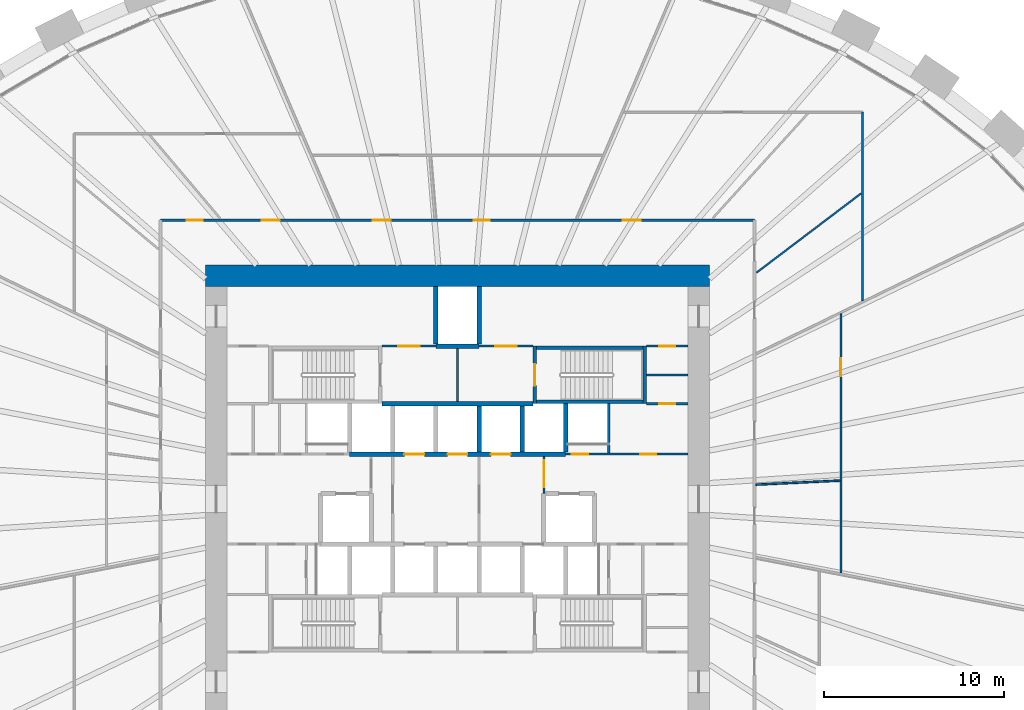
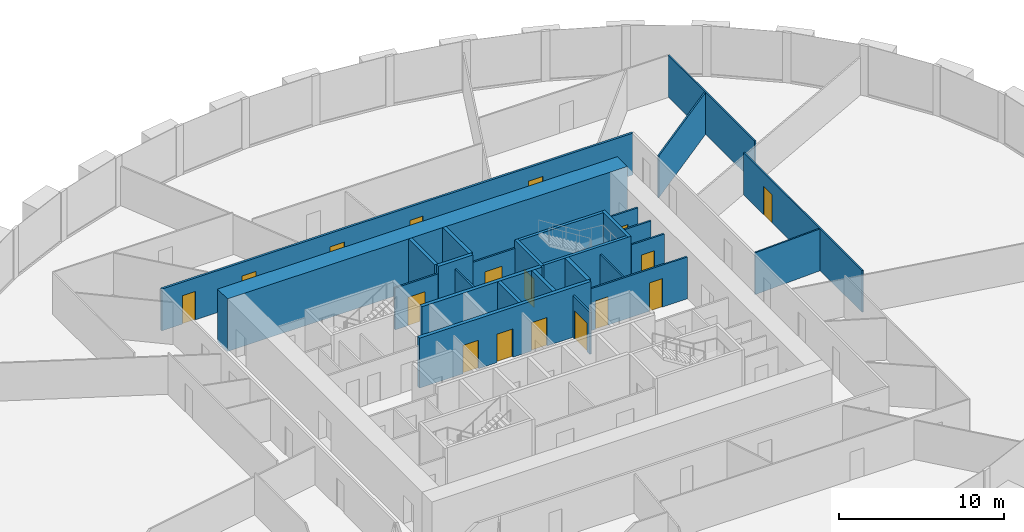
# One storey, part 9 of 11: 27 walls, 17 doors, 17 openings.
"""IFC4 building model written with IfcOpenShell, lengths in metres."""

from ifc_helpers import new_model, si_unit, direction, frame, frame_2d, origin, place, context, subcontext, project, spatial, rectangle, extrude, source, transform, mapped, material, layer, layer_set, type_object, element, fill, save


model = new_model("IFC4")

# Units and contexts
model_context = context("Model", 3, precision=1e-05, world=origin(), true_north=direction((0.0, 1.0)))
body_context = subcontext(model_context, "Body", "Model", "MODEL_VIEW")
ifc_project = project(units=[si_unit("LENGTHUNIT", "METRE"), si_unit("AREAUNIT", "SQUARE_METRE"), si_unit("VOLUMEUNIT", "CUBIC_METRE"), si_unit("PLANEANGLEUNIT", "RADIAN"), si_unit("MASSUNIT", "GRAM", prefix="KILO")], contexts=[model_context])

# Site, building, storey
site_placement = place(None, origin())
site = spatial("IfcSite", under=ifc_project, at=site_placement, CompositionType="ELEMENT")
building_placement = place(site_placement, origin())
building = spatial("IfcBuilding", under=site, at=building_placement, Name="Embergate Tower", CompositionType="ELEMENT")
storey_placement = place(building_placement, frame((0.0, 0.0, 113.300048828125)))
storey = spatial("IfcBuildingStorey", under=building, at=storey_placement, Name="L24", CompositionType="ELEMENT", Elevation=113.300048828125)

# Walls
ifc_material_1 = material(Name="Concrete C80", Category="concrete")
ifc_layer_1 = layer(ifc_material_1, 1.199951171875)
ifc_layer_set_1 = layer_set([ifc_layer_1], Name="Concrete C80")
wall_type_1 = type_object("IfcWallType", Name="Core outer wall C80 1200", PredefinedType="SHEAR", material=ifc_layer_set_1)
shared_shape_1 = source(origin(), body_context, "Body", "SweptSolid", [
    extrude(rectangle(XDim=28.0, YDim=1.199951171875, at=frame_2d((14.0, 0.0))), origin(), (0.0, 0.0, 1.0), 3.89990234375),
])
wall_1_placement = place(storey_placement, frame((-14.0, 12.39990234375, -0.199951171875), z_axis=(0.0, 0.0, 1.0), x_axis=(1.0, 0.0, 0.0)))
element("IfcWall", 1, at=wall_1_placement, inside=storey, type_object=wall_type_1, Name="CW-L24-N", PredefinedType="SHEAR", context=body_context, shape_type="MappedRepresentation", body=[
    mapped(shared_shape_1, transform((0.0, 0.0, 0.0))),
])
ifc_material_2 = material(Name="Concrete C50", Category="concrete")
ifc_layer_2 = layer(ifc_material_2, 0.25)
ifc_layer_set_2 = layer_set([ifc_layer_2], Name="Concrete C50")
wall_type_2 = type_object("IfcWallType", Name="Hoistway wall reinforced concrete 250", PredefinedType="SHEAR", material=ifc_layer_set_2)
shared_shape_2 = source(origin(), body_context, "Body", "SweptSolid", [
    extrude(rectangle(XDim=2.675048828125, YDim=0.25, at=frame_2d((1.33740234375, 0.0))), origin(), (0.0, 0.0, 1.0), 3.699951171875),
])
wall_2_placement = place(storey_placement, frame((6.0, 2.625, 0.0), z_axis=(0.0, 0.0, 1.0), x_axis=(0.0, 1.0, 0.0)))
element("IfcWall", 2, at=wall_2_placement, inside=storey, type_object=wall_type_2, Name="HW-1 wall", PredefinedType="SHEAR", context=body_context, shape_type="MappedRepresentation", body=[
    mapped(shared_shape_2, transform((0.0, 0.0, 0.0))),
])
ifc_layer_3 = layer(ifc_material_2, 0.199951171875)
ifc_layer_set_3 = layer_set([ifc_layer_3], Name="Concrete C50")
wall_type_3 = type_object("IfcWallType", Name="Stair enclosure wall reinforced concrete 250", PredefinedType="SHEAR", material=ifc_layer_set_3)
shared_shape_3 = source(origin(), body_context, "Body", "SweptSolid", [
    extrude(rectangle(XDim=6.300048828125, YDim=0.199951171875, at=frame_2d((3.14990234375, 0.0))), origin(), (0.0, 0.0, 1.0), 3.699951171875),
])
for number, where, z_axis, x_axis, name in (
    (3, (10.5, 5.39990234375, 0.0), (0.0, 0.0, 1.0), (-1.0, 0.0, 0.0), "SE-1 wall"),
    (4, (10.5, 8.39990234375, 0.0), (0.0, 0.0, 1.0), (-1.0, 0.0, 0.0), "SE-1 wall"),
):
    element("IfcWall", number, at=place(storey_placement, frame(where, z_axis=z_axis, x_axis=x_axis)), inside=storey, type_object=wall_type_3, Name=name, PredefinedType="SHEAR", context=body_context, shape_type="MappedRepresentation", body=[
        mapped(shared_shape_3, transform((0.0, 0.0, 0.0))),
    ])
shared_shape_4 = source(origin(), body_context, "Body", "SweptSolid", [
    extrude(rectangle(XDim=2.550048828125, YDim=0.25, at=frame_2d((1.27490234375, 0.0))), origin(), (0.0, 0.0, 1.0), 3.699951171875),
])
for number, where, z_axis, x_axis, name in (
    (5, (1.199951171875, 2.625, 0.0), (0.0, 0.0, 1.0), (0.0, 1.0, 0.0), "HW-1 wall"),
    (6, (3.60009765625, 2.625, 0.0), (0.0, 0.0, 1.0), (0.0, 1.0, 0.0), "HW-1 wall"),
):
    element("IfcWall", number, at=place(storey_placement, frame(where, z_axis=z_axis, x_axis=x_axis)), inside=storey, type_object=wall_type_2, Name=name, PredefinedType="SHEAR", context=body_context, shape_type="MappedRepresentation", body=[
        mapped(shared_shape_4, transform((0.0, 0.0, 0.0))),
    ])

# Wall, openings, doors
shared_shape_5 = source(origin(), body_context, "Body", "SweptSolid", [
    extrude(rectangle(XDim=12.0, YDim=0.25, at=frame_2d((6.0, 0.0))), origin(), (0.0, 0.0, 1.0), 3.699951171875),
])
wall_3_placement = place(storey_placement, frame((-6.0, 2.5, 0.0), z_axis=(0.0, 0.0, 1.0), x_axis=(1.0, 0.0, 0.0)))
wall_3 = element("IfcWall", 7, at=wall_3_placement, inside=storey, type_object=wall_type_2, Name="HW-1 wall", PredefinedType="SHEAR", context=body_context, shape_type="MappedRepresentation", body=[
    mapped(shared_shape_5, transform((0.0, 0.0, 0.0))),
])
shared_shape_6 = source(origin(), body_context, "Body", "SweptSolid", [
    extrude(rectangle(XDim=1.10009765625, YDim=2.10009765625, at=frame_2d((0.550048828125, 1.050048828125))), frame((0.0, 0.135009765625, 0.0), z_axis=(0.0, -1.0, 0.0), x_axis=(1.0, 0.0, 0.0)), (0.0, 0.0, 1.0), 0.27001953125),
])
opening_1_placement = place(wall_3_placement, frame((3.050048828125, 0.0, 0.0)))
opening_1 = element("IfcOpeningElement", 8, at=opening_1_placement, cuts=wall_3, Name="Opening LD", PredefinedType="OPENING", context=body_context, shape_type="MappedRepresentation", body=[
    mapped(shared_shape_6, transform((0.0, 0.0, 0.0))),
])
opening_2_placement = place(wall_3_placement, frame((5.449951171875, 0.0, 0.0)))
opening_2 = element("IfcOpeningElement", 9, at=opening_2_placement, cuts=wall_3, Name="Opening LD", PredefinedType="OPENING", context=body_context, shape_type="MappedRepresentation", body=[
    mapped(shared_shape_6, transform((0.0, 0.0, 0.0))),
])
opening_3_placement = place(wall_3_placement, frame((7.85009765625, 0.0, 0.0)))
opening_3 = element("IfcOpeningElement", 10, at=opening_3_placement, cuts=wall_3, Name="Opening LD", PredefinedType="OPENING", context=body_context, shape_type="MappedRepresentation", body=[
    mapped(shared_shape_6, transform((0.0, 0.0, 0.0))),
])
ifc_material_3 = material(Name="Landing door sliding 1100")
door_type_1 = type_object("IfcDoorType", Name="Landing door sliding 1100", OperationType="SLIDING_TO_LEFT", PredefinedType="DOOR", material=ifc_material_3)
shared_shape_7 = source(origin(), body_context, "Body", "SweptSolid", [
    extrude(rectangle(XDim=1.10009765625, YDim=2.10009765625, at=frame_2d((0.550048828125, 1.050048828125))), frame((0.0, 0.02490234375, 0.0), z_axis=(0.0, -1.0, 0.0), x_axis=(1.0, 0.0, 0.0)), (0.0, 0.0, 1.0), 0.050048828125),
])
door_1_placement = place(opening_1_placement, origin())
door_1 = element("IfcDoor", 11, at=door_1_placement, inside=storey, type_object=door_type_1, Name="LD door", OperationType="SLIDING_TO_LEFT", OverallHeight=2.10009765625, OverallWidth=1.10009765625, PredefinedType="DOOR", context=body_context, shape_type="MappedRepresentation", body=[
    mapped(shared_shape_7, transform((0.0, 0.0, 0.0))),
])
fill(opening_1, door_1)
door_2_placement = place(opening_2_placement, origin())
door_2 = element("IfcDoor", 12, at=door_2_placement, inside=storey, type_object=door_type_1, Name="LD door", OperationType="SLIDING_TO_LEFT", OverallHeight=2.10009765625, OverallWidth=1.10009765625, PredefinedType="DOOR", context=body_context, shape_type="MappedRepresentation", body=[
    mapped(shared_shape_7, transform((0.0, 0.0, 0.0))),
])
fill(opening_2, door_2)
door_3_placement = place(opening_3_placement, origin())
door_3 = element("IfcDoor", 13, at=door_3_placement, inside=storey, type_object=door_type_1, Name="LD door", OperationType="SLIDING_TO_LEFT", OverallHeight=2.10009765625, OverallWidth=1.10009765625, PredefinedType="DOOR", context=body_context, shape_type="MappedRepresentation", body=[
    mapped(shared_shape_7, transform((0.0, 0.0, 0.0))),
])
fill(opening_3, door_3)

# Wall
shared_shape_8 = source(origin(), body_context, "Body", "SweptSolid", [
    extrude(rectangle(XDim=8.39990234375, YDim=0.25, at=frame_2d((4.199951171875, 0.0))), origin(), (0.0, 0.0, 1.0), 3.699951171875),
])
wall_4_placement = place(storey_placement, frame((4.199951171875, 5.300048828125, 0.0), z_axis=(0.0, 0.0, 1.0), x_axis=(-1.0, 0.0, 0.0)))
element("IfcWall", 14, at=wall_4_placement, inside=storey, type_object=wall_type_2, Name="HW-1 wall", PredefinedType="SHEAR", context=body_context, shape_type="MappedRepresentation", body=[
    mapped(shared_shape_8, transform((0.0, 0.0, 0.0))),
])

# Wall, opening, door
shared_shape_9 = source(origin(), body_context, "Body", "SweptSolid", [
    extrude(rectangle(XDim=3.199951171875, YDim=0.199951171875, at=frame_2d((1.60009765625, 0.0))), origin(), (0.0, 0.0, 1.0), 3.699951171875),
])
wall_5_placement = place(storey_placement, frame((4.300048828125, 8.5, 0.0), z_axis=(0.0, 0.0, 1.0), x_axis=(0.0, -1.0, 0.0)))
wall_5 = element("IfcWall", 15, at=wall_5_placement, inside=storey, type_object=wall_type_3, Name="SE-1 wall", PredefinedType="SHEAR", context=body_context, shape_type="MappedRepresentation", body=[
    mapped(shared_shape_9, transform((0.0, 0.0, 0.0))),
])
shared_shape_10 = source(origin(), body_context, "Body", "SweptSolid", [
    extrude(rectangle(XDim=1.199951171875, YDim=2.10009765625, at=frame_2d((0.60009765625, 1.050048828125))), frame((0.0, 0.10986328125, 0.0), z_axis=(0.0, -1.0, 0.0), x_axis=(1.0, 0.0, 0.0)), (0.0, 0.0, 1.0), 0.219970703125),
])
opening_4_placement = place(wall_5_placement, frame((1.0, 0.0, 0.0)))
opening_4 = element("IfcOpeningElement", 16, at=opening_4_placement, cuts=wall_5, Name="Opening IF-2", PredefinedType="OPENING", context=body_context, shape_type="MappedRepresentation", body=[
    mapped(shared_shape_10, transform((0.0, 0.0, 0.0))),
])
ifc_material_4 = material(Name="Stair enclosure door 1200")
door_type_2 = type_object("IfcDoorType", Name="Stair enclosure door 1200", OperationType="SINGLE_SWING_LEFT", PredefinedType="DOOR", material=ifc_material_4)
shared_shape_11 = source(origin(), body_context, "Body", "SweptSolid", [
    extrude(rectangle(XDim=1.199951171875, YDim=2.10009765625, at=frame_2d((0.60009765625, 1.050048828125))), frame((0.0, 0.02490234375, 0.0), z_axis=(0.0, -1.0, 0.0), x_axis=(1.0, 0.0, 0.0)), (0.0, 0.0, 1.0), 0.050048828125),
])
door_4_placement = place(opening_4_placement, origin())
door_4 = element("IfcDoor", 17, at=door_4_placement, inside=storey, type_object=door_type_2, Name="IF-2 door", OperationType="SINGLE_SWING_RIGHT", OverallHeight=2.10009765625, OverallWidth=1.199951171875, PredefinedType="DOOR", context=body_context, shape_type="MappedRepresentation", body=[
    mapped(shared_shape_11, transform((0.0, 0.0, 0.0))),
])
fill(opening_4, door_4)

# Walls
wall_6_placement = place(storey_placement, frame((10.39990234375, 5.300048828125, 0.0), z_axis=(0.0, 0.0, 1.0), x_axis=(0.0, 1.0, 0.0)))
element("IfcWall", 18, at=wall_6_placement, inside=storey, type_object=wall_type_3, Name="SE-1 wall", PredefinedType="SHEAR", context=body_context, shape_type="MappedRepresentation", body=[
    mapped(shared_shape_9, transform((0.0, 0.0, 0.0))),
])
shared_shape_12 = source(origin(), body_context, "Body", "SweptSolid", [
    extrude(rectangle(XDim=2.39990234375, YDim=0.25, at=frame_2d((1.199951171875, 0.0))), origin(), (0.0, 0.0, 1.0), 3.699951171875),
])
wall_7_placement = place(storey_placement, frame((1.199951171875, 8.5, 0.0), z_axis=(0.0, 0.0, 1.0), x_axis=(-1.0, 0.0, 0.0)))
element("IfcWall", 19, at=wall_7_placement, inside=storey, type_object=wall_type_2, Name="HW-1 wall", PredefinedType="SHEAR", context=body_context, shape_type="MappedRepresentation", body=[
    mapped(shared_shape_12, transform((0.0, 0.0, 0.0))),
])
shared_shape_13 = source(origin(), body_context, "Body", "SweptSolid", [
    extrude(rectangle(XDim=3.175048828125, YDim=0.25, at=frame_2d((1.58740234375, 0.0))), origin(), (0.0, 0.0, 1.0), 3.699951171875),
])
for number, where, z_axis, x_axis, name in (
    (20, (-1.199951171875, 8.625, 0.0), (0.0, 0.0, 1.0), (0.0, 1.0, 0.0), "HW-1 wall"),
    (21, (1.199951171875, 11.800048828125, 0.0), (0.0, 0.0, 1.0), (0.0, -1.0, 0.0), "HW-1 wall"),
):
    element("IfcWall", number, at=place(storey_placement, frame(where, z_axis=z_axis, x_axis=x_axis)), inside=storey, type_object=wall_type_2, Name=name, PredefinedType="SHEAR", context=body_context, shape_type="MappedRepresentation", body=[
        mapped(shared_shape_13, transform((0.0, 0.0, 0.0))),
    ])

# Wall, openings, doors
ifc_material_5 = material(Name="Core partition blockwork 120")
ifc_layer_4 = layer(ifc_material_5, 0.1201171875)
ifc_layer_set_4 = layer_set([ifc_layer_4], Name="Core partition blockwork 120")
wall_type_4 = type_object("IfcWallType", Name="Core partition blockwork 120", PredefinedType="PARTITIONING", material=ifc_layer_set_4)
shared_shape_14 = source(origin(), body_context, "Body", "SweptSolid", [
    extrude(rectangle(XDim=6.800048828125, YDim=0.1201171875, at=frame_2d((3.39990234375, 0.0))), origin(), (0.0, 0.0, 1.0), 3.099853515625),
])
wall_8_placement = place(storey_placement, frame((6.0, 2.5, 0.0), z_axis=(0.0, 0.0, 1.0), x_axis=(1.0, 0.0, 0.0)))
wall_8 = element("IfcWall", 22, at=wall_8_placement, inside=storey, type_object=wall_type_4, Name="IP-3 wall", PredefinedType="PARTITIONING", context=body_context, shape_type="MappedRepresentation", body=[
    mapped(shared_shape_14, transform((0.0, 0.0, 0.0))),
])
shared_shape_15 = source(origin(), body_context, "Body", "SweptSolid", [
    extrude(rectangle(XDim=0.89990234375, YDim=2.10009765625, at=frame_2d((0.449951171875, 1.050048828125))), frame((0.0, 0.070068359375, 0.0), z_axis=(0.0, -1.0, 0.0), x_axis=(1.0, 0.0, 0.0)), (0.0, 0.0, 1.0), 0.14013671875),
])
opening_5_placement = place(wall_8_placement, frame((0.35009765625, 0.0, 0.0)))
opening_5 = element("IfcOpeningElement", 23, at=opening_5_placement, cuts=wall_8, Name="Opening ID-1", PredefinedType="OPENING", context=body_context, shape_type="MappedRepresentation", body=[
    mapped(shared_shape_15, transform((0.0, 0.0, 0.0))),
])
opening_6_placement = place(wall_8_placement, frame((4.14990234375, 0.0, 0.0)))
opening_6 = element("IfcOpeningElement", 24, at=opening_6_placement, cuts=wall_8, Name="Opening ID-1", PredefinedType="OPENING", context=body_context, shape_type="MappedRepresentation", body=[
    mapped(shared_shape_15, transform((0.0, 0.0, 0.0))),
])
ifc_material_6 = material(Name="Interior door 900")
door_type_3 = type_object("IfcDoorType", Name="Interior door 900", OperationType="SINGLE_SWING_LEFT", PredefinedType="DOOR", material=ifc_material_6)
shared_shape_16 = source(origin(), body_context, "Body", "SweptSolid", [
    extrude(rectangle(XDim=0.89990234375, YDim=2.10009765625, at=frame_2d((0.449951171875, 1.050048828125))), frame((0.0, 0.02490234375, 0.0), z_axis=(0.0, -1.0, 0.0), x_axis=(1.0, 0.0, 0.0)), (0.0, 0.0, 1.0), 0.050048828125),
])
door_5_placement = place(opening_5_placement, origin())
door_5 = element("IfcDoor", 25, at=door_5_placement, inside=storey, type_object=door_type_3, Name="ID-1 door", OperationType="SINGLE_SWING_LEFT", OverallHeight=2.10009765625, OverallWidth=0.89990234375, PredefinedType="DOOR", context=body_context, shape_type="MappedRepresentation", body=[
    mapped(shared_shape_16, transform((0.0, 0.0, 0.0))),
])
fill(opening_5, door_5)
door_6_placement = place(opening_6_placement, origin())
door_6 = element("IfcDoor", 26, at=door_6_placement, inside=storey, type_object=door_type_3, Name="ID-1 door", OperationType="SINGLE_SWING_RIGHT", OverallHeight=2.10009765625, OverallWidth=0.89990234375, PredefinedType="DOOR", context=body_context, shape_type="MappedRepresentation", body=[
    mapped(shared_shape_16, transform((0.0, 0.0, 0.0))),
])
fill(opening_6, door_6)

# Wall
shared_shape_17 = source(origin(), body_context, "Body", "SweptSolid", [
    extrude(rectangle(XDim=2.739990234375, YDim=0.1201171875, at=frame_2d((1.3701171875, 0.0))), origin(), (0.0, 0.0, 1.0), 3.099853515625),
])
wall_9_placement = place(storey_placement, frame((8.39990234375, 2.56005859375, 0.0), z_axis=(0.0, 0.0, 1.0), x_axis=(0.0, 1.0, 0.0)))
element("IfcWall", 27, at=wall_9_placement, inside=storey, type_object=wall_type_4, Name="IP-3 wall", PredefinedType="PARTITIONING", context=body_context, shape_type="MappedRepresentation", body=[
    mapped(shared_shape_17, transform((0.0, 0.0, 0.0))),
])

# Wall, opening, door
shared_shape_18 = source(origin(), body_context, "Body", "SweptSolid", [
    extrude(rectangle(XDim=2.074951171875, YDim=0.1201171875, at=frame_2d((1.03759765625, 0.0))), origin(), (0.0, 0.0, 1.0), 3.099853515625),
])
wall_10_placement = place(storey_placement, frame((4.800048828125, 0.300048828125, 0.0), z_axis=(0.0, 0.0, 1.0), x_axis=(0.0, 1.0, 0.0)))
wall_10 = element("IfcWall", 28, at=wall_10_placement, inside=storey, type_object=wall_type_4, Name="IP-3 wall", PredefinedType="PARTITIONING", context=body_context, shape_type="MappedRepresentation", body=[
    mapped(shared_shape_18, transform((0.0, 0.0, 0.0))),
])
shared_shape_19 = source(origin(), body_context, "Body", "SweptSolid", [
    extrude(rectangle(XDim=1.5, YDim=2.10009765625, at=frame_2d((0.75, 1.050048828125))), frame((0.0, 0.070068359375, 0.0), z_axis=(0.0, -1.0, 0.0), x_axis=(1.0, 0.0, 0.0)), (0.0, 0.0, 1.0), 0.14013671875),
])
opening_7_placement = place(wall_10_placement, frame((0.35009765625, 0.0, 0.0)))
opening_7 = element("IfcOpeningElement", 29, at=opening_7_placement, cuts=wall_10, Name="Opening IF-3", PredefinedType="OPENING", context=body_context, shape_type="MappedRepresentation", body=[
    mapped(shared_shape_19, transform((0.0, 0.0, 0.0))),
])
ifc_material_7 = material(Name="Lobby fire door pair 1500")
door_type_4 = type_object("IfcDoorType", Name="Lobby fire door pair 1500", OperationType="DOUBLE_DOOR_SINGLE_SWING", PredefinedType="DOOR", material=ifc_material_7)
shared_shape_20 = source(origin(), body_context, "Body", "SweptSolid", [
    extrude(rectangle(XDim=1.5, YDim=2.10009765625, at=frame_2d((0.75, 1.050048828125))), frame((0.0, 0.02490234375, 0.0), z_axis=(0.0, -1.0, 0.0), x_axis=(1.0, 0.0, 0.0)), (0.0, 0.0, 1.0), 0.050048828125),
])
door_7_placement = place(opening_7_placement, origin())
door_7 = element("IfcDoor", 30, at=door_7_placement, inside=storey, type_object=door_type_4, Name="IF-3 door", OperationType="DOUBLE_DOOR_SINGLE_SWING", OverallHeight=2.10009765625, OverallWidth=1.5, PredefinedType="DOOR", context=body_context, shape_type="MappedRepresentation", body=[
    mapped(shared_shape_20, transform((0.0, 0.0, 0.0))),
])
fill(opening_7, door_7)

# Wall
shared_shape_21 = source(origin(), body_context, "Body", "SweptSolid", [
    extrude(rectangle(XDim=2.949951171875, YDim=0.1201171875, at=frame_2d((1.47509765625, 0.0))), origin(), (0.0, 0.0, 1.0), 3.099853515625),
])
wall_11_placement = place(storey_placement, frame((0.0, 5.425048828125, 0.0), z_axis=(0.0, 0.0, 1.0), x_axis=(0.0, 1.0, 0.0)))
element("IfcWall", 31, at=wall_11_placement, inside=storey, type_object=wall_type_4, Name="IP-3 wall", PredefinedType="PARTITIONING", context=body_context, shape_type="MappedRepresentation", body=[
    mapped(shared_shape_21, transform((0.0, 0.0, 0.0))),
])

# Wall, opening, door
shared_shape_22 = source(origin(), body_context, "Body", "SweptSolid", [
    extrude(rectangle(XDim=3.0, YDim=0.1201171875, at=frame_2d((1.5, 0.0))), origin(), (0.0, 0.0, 1.0), 3.099853515625),
])
wall_12_placement = place(storey_placement, frame((-1.199951171875, 8.5, 0.0), z_axis=(0.0, 0.0, 1.0), x_axis=(-1.0, 0.0, 0.0)))
wall_12 = element("IfcWall", 32, at=wall_12_placement, inside=storey, type_object=wall_type_4, Name="IP-3 wall", PredefinedType="PARTITIONING", context=body_context, shape_type="MappedRepresentation", body=[
    mapped(shared_shape_22, transform((0.0, 0.0, 0.0))),
])
shared_shape_23 = source(origin(), body_context, "Body", "SweptSolid", [
    extrude(rectangle(XDim=1.199951171875, YDim=2.10009765625, at=frame_2d((0.60009765625, 1.050048828125))), frame((0.0, 0.070068359375, 0.0), z_axis=(0.0, -1.0, 0.0), x_axis=(1.0, 0.0, 0.0)), (0.0, 0.0, 1.0), 0.14013671875),
])
opening_8_placement = place(wall_12_placement, frame((0.89990234375, 0.0, 0.0)))
opening_8 = element("IfcOpeningElement", 33, at=opening_8_placement, cuts=wall_12, Name="Opening IF-3f", PredefinedType="OPENING", context=body_context, shape_type="MappedRepresentation", body=[
    mapped(shared_shape_23, transform((0.0, 0.0, 0.0))),
])
ifc_material_8 = material(Name="Lobby fire door pair 1200")
door_type_5 = type_object("IfcDoorType", Name="Lobby fire door pair 1200", OperationType="DOUBLE_DOOR_SINGLE_SWING", PredefinedType="DOOR", material=ifc_material_8)
door_8_placement = place(opening_8_placement, origin())
door_8 = element("IfcDoor", 34, at=door_8_placement, inside=storey, type_object=door_type_5, Name="IF-3 door", OperationType="DOUBLE_DOOR_SINGLE_SWING", OverallHeight=2.10009765625, OverallWidth=1.199951171875, PredefinedType="DOOR", context=body_context, shape_type="MappedRepresentation", body=[
    mapped(shared_shape_11, transform((0.0, 0.0, 0.0))),
])
fill(opening_8, door_8)

wall_13_placement = place(storey_placement, frame((4.199951171875, 8.5, 0.0), z_axis=(0.0, 0.0, 1.0), x_axis=(-1.0, 0.0, 0.0)))
wall_13 = element("IfcWall", 35, at=wall_13_placement, inside=storey, type_object=wall_type_4, Name="IP-3 wall", PredefinedType="PARTITIONING", context=body_context, shape_type="MappedRepresentation", body=[
    mapped(shared_shape_22, transform((0.0, 0.0, 0.0))),
])
opening_9_placement = place(wall_13_placement, frame((0.89990234375, 0.0, 0.0)))
opening_9 = element("IfcOpeningElement", 36, at=opening_9_placement, cuts=wall_13, Name="Opening IF-3f", PredefinedType="OPENING", context=body_context, shape_type="MappedRepresentation", body=[
    mapped(shared_shape_23, transform((0.0, 0.0, 0.0))),
])
door_9_placement = place(opening_9_placement, origin())
door_9 = element("IfcDoor", 37, at=door_9_placement, inside=storey, type_object=door_type_5, Name="IF-3 door", OperationType="DOUBLE_DOOR_SINGLE_SWING", OverallHeight=2.10009765625, OverallWidth=1.199951171875, PredefinedType="DOOR", context=body_context, shape_type="MappedRepresentation", body=[
    mapped(shared_shape_11, transform((0.0, 0.0, 0.0))),
])
fill(opening_9, door_9)

shared_shape_24 = source(origin(), body_context, "Body", "SweptSolid", [
    extrude(rectangle(XDim=2.300048828125, YDim=0.1201171875, at=frame_2d((1.14990234375, 0.0))), origin(), (0.0, 0.0, 1.0), 3.099853515625),
])
wall_14_placement = place(storey_placement, frame((10.5, 8.5, 0.0), z_axis=(0.0, 0.0, 1.0), x_axis=(1.0, 0.0, 0.0)))
wall_14 = element("IfcWall", 38, at=wall_14_placement, inside=storey, type_object=wall_type_4, Name="IP-3 wall", PredefinedType="PARTITIONING", context=body_context, shape_type="MappedRepresentation", body=[
    mapped(shared_shape_24, transform((0.0, 0.0, 0.0))),
])
opening_10_placement = place(wall_14_placement, frame((0.699951171875, 0.0, 0.0)))
opening_10 = element("IfcOpeningElement", 39, at=opening_10_placement, cuts=wall_14, Name="Opening ID-1", PredefinedType="OPENING", context=body_context, shape_type="MappedRepresentation", body=[
    mapped(shared_shape_15, transform((0.0, 0.0, 0.0))),
])
door_10_placement = place(opening_10_placement, origin())
door_10 = element("IfcDoor", 40, at=door_10_placement, inside=storey, type_object=door_type_3, Name="ID-1 door", OperationType="SINGLE_SWING_RIGHT", OverallHeight=2.10009765625, OverallWidth=0.89990234375, PredefinedType="DOOR", context=body_context, shape_type="MappedRepresentation", body=[
    mapped(shared_shape_16, transform((0.0, 0.0, 0.0))),
])
fill(opening_10, door_10)

wall_15_placement = place(storey_placement, frame((12.800048828125, 5.300048828125, 0.0), z_axis=(0.0, 0.0, 1.0), x_axis=(-1.0, 0.0, 0.0)))
wall_15 = element("IfcWall", 41, at=wall_15_placement, inside=storey, type_object=wall_type_4, Name="IP-3 wall", PredefinedType="PARTITIONING", context=body_context, shape_type="MappedRepresentation", body=[
    mapped(shared_shape_24, transform((0.0, 0.0, 0.0))),
])
opening_11_placement = place(wall_15_placement, frame((0.699951171875, 0.0, 0.0)))
opening_11 = element("IfcOpeningElement", 42, at=opening_11_placement, cuts=wall_15, Name="Opening ID-1", PredefinedType="OPENING", context=body_context, shape_type="MappedRepresentation", body=[
    mapped(shared_shape_15, transform((0.0, 0.0, 0.0))),
])
door_11_placement = place(opening_11_placement, origin())
door_11 = element("IfcDoor", 43, at=door_11_placement, inside=storey, type_object=door_type_3, Name="ID-1 door", OperationType="SINGLE_SWING_LEFT", OverallHeight=2.10009765625, OverallWidth=0.89990234375, PredefinedType="DOOR", context=body_context, shape_type="MappedRepresentation", body=[
    mapped(shared_shape_16, transform((0.0, 0.0, 0.0))),
])
fill(opening_11, door_11)

# Wall
wall_16_placement = place(storey_placement, frame((12.800048828125, 6.89990234375, 0.0), z_axis=(0.0, 0.0, 1.0), x_axis=(-1.0, 0.0, 0.0)))
element("IfcWall", 44, at=wall_16_placement, inside=storey, type_object=wall_type_4, Name="IP-3 wall", PredefinedType="PARTITIONING", context=body_context, shape_type="MappedRepresentation", body=[
    mapped(shared_shape_24, transform((0.0, 0.0, 0.0))),
])

# Wall, openings, doors
ifc_material_9 = material(Name="Corridor wall dry-lined 150")
ifc_layer_5 = layer(ifc_material_9, 0.14990234375)
ifc_layer_set_5 = layer_set([ifc_layer_5], Name="Corridor wall dry-lined 150")
wall_type_5 = type_object("IfcWallType", Name="Corridor wall dry-lined 150", PredefinedType="PARTITIONING", material=ifc_layer_set_5)
shared_shape_25 = source(origin(), body_context, "Body", "SweptSolid", [
    extrude(rectangle(XDim=33.0, YDim=0.14990234375, at=frame_2d((16.5, 0.0))), origin(), (0.0, 0.0, 1.0), 3.099853515625),
])
wall_17_placement = place(storey_placement, frame((-16.5, 15.5, 0.0), z_axis=(0.0, 0.0, 1.0), x_axis=(1.0, 0.0, 0.0)))
wall_17 = element("IfcWall", 45, at=wall_17_placement, inside=storey, type_object=wall_type_5, Name="IP-2 wall", PredefinedType="PARTITIONING", context=body_context, shape_type="MappedRepresentation", body=[
    mapped(shared_shape_25, transform((0.0, 0.0, 0.0))),
])
shared_shape_26 = source(origin(), body_context, "Body", "SweptSolid", [
    extrude(rectangle(XDim=1.0, YDim=2.10009765625, at=frame_2d((0.5, 1.050048828125))), frame((0.0, 0.0849609375, 0.0), z_axis=(0.0, -1.0, 0.0), x_axis=(1.0, 0.0, 0.0)), (0.0, 0.0, 1.0), 0.169921875),
])
opening_12_placement = place(wall_17_placement, frame((25.69091796875, 0.0, 0.0)))
opening_12 = element("IfcOpeningElement", 46, at=opening_12_placement, cuts=wall_17, Name="Opening ID-2", PredefinedType="OPENING", context=body_context, shape_type="MappedRepresentation", body=[
    mapped(shared_shape_26, transform((0.0, 0.0, 0.0))),
])
shared_shape_27 = source(origin(), body_context, "Body", "SweptSolid", [
    extrude(rectangle(XDim=0.89990234375, YDim=2.10009765625, at=frame_2d((0.449951171875, 1.050048828125))), frame((0.0, 0.0849609375, 0.0), z_axis=(0.0, -1.0, 0.0), x_axis=(1.0, 0.0, 0.0)), (0.0, 0.0, 1.0), 0.169921875),
])
opening_13_placement = place(wall_17_placement, frame((17.389892578125, 0.0, 0.0)))
opening_13 = element("IfcOpeningElement", 47, at=opening_13_placement, cuts=wall_17, Name="Opening IF-1c", PredefinedType="OPENING", context=body_context, shape_type="MappedRepresentation", body=[
    mapped(shared_shape_27, transform((0.0, 0.0, 0.0))),
])
opening_14_placement = place(wall_17_placement, frame((11.777099609375, 0.0, 0.0)))
opening_14 = element("IfcOpeningElement", 48, at=opening_14_placement, cuts=wall_17, Name="Opening ID-2", PredefinedType="OPENING", context=body_context, shape_type="MappedRepresentation", body=[
    mapped(shared_shape_26, transform((0.0, 0.0, 0.0))),
])
opening_15_placement = place(wall_17_placement, frame((5.610107421875, 0.0, 0.0)))
opening_15 = element("IfcOpeningElement", 49, at=opening_15_placement, cuts=wall_17, Name="Opening ID-2", PredefinedType="OPENING", context=body_context, shape_type="MappedRepresentation", body=[
    mapped(shared_shape_26, transform((0.0, 0.0, 0.0))),
])
opening_16_placement = place(wall_17_placement, frame((1.4560546875, 0.0, 0.0)))
opening_16 = element("IfcOpeningElement", 50, at=opening_16_placement, cuts=wall_17, Name="Opening IF-1c", PredefinedType="OPENING", context=body_context, shape_type="MappedRepresentation", body=[
    mapped(shared_shape_27, transform((0.0, 0.0, 0.0))),
])
ifc_material_10 = material(Name="Escape fire door 900")
door_type_6 = type_object("IfcDoorType", Name="Escape fire door 900", OperationType="SINGLE_SWING_LEFT", PredefinedType="DOOR", material=ifc_material_10)
door_12_placement = place(opening_13_placement, origin())
door_12 = element("IfcDoor", 51, at=door_12_placement, inside=storey, type_object=door_type_6, Name="IF-1 door", OperationType="SINGLE_SWING_RIGHT", OverallHeight=2.10009765625, OverallWidth=0.89990234375, PredefinedType="DOOR", context=body_context, shape_type="MappedRepresentation", body=[
    mapped(shared_shape_16, transform((0.0, 0.0, 0.0))),
])
fill(opening_13, door_12)
door_13_placement = place(opening_16_placement, origin())
door_13 = element("IfcDoor", 52, at=door_13_placement, inside=storey, type_object=door_type_6, Name="IF-1 door", OperationType="SINGLE_SWING_LEFT", OverallHeight=2.10009765625, OverallWidth=0.89990234375, PredefinedType="DOOR", context=body_context, shape_type="MappedRepresentation", body=[
    mapped(shared_shape_16, transform((0.0, 0.0, 0.0))),
])
fill(opening_16, door_13)
ifc_material_11 = material(Name="Interior door 1000")
door_type_7 = type_object("IfcDoorType", Name="Interior door 1000", OperationType="SINGLE_SWING_LEFT", PredefinedType="DOOR", material=ifc_material_11)
shared_shape_28 = source(origin(), body_context, "Body", "SweptSolid", [
    extrude(rectangle(XDim=1.0, YDim=2.10009765625, at=frame_2d((0.5, 1.050048828125))), frame((0.0, 0.02490234375, 0.0), z_axis=(0.0, -1.0, 0.0), x_axis=(1.0, 0.0, 0.0)), (0.0, 0.0, 1.0), 0.050048828125),
])
door_14_placement = place(opening_12_placement, origin())
door_14 = element("IfcDoor", 53, at=door_14_placement, inside=storey, type_object=door_type_7, Name="ID-2 door", OperationType="SINGLE_SWING_LEFT", OverallHeight=2.10009765625, OverallWidth=1.0, PredefinedType="DOOR", context=body_context, shape_type="MappedRepresentation", body=[
    mapped(shared_shape_28, transform((0.0, 0.0, 0.0))),
])
fill(opening_12, door_14)
door_15_placement = place(opening_14_placement, origin())
door_15 = element("IfcDoor", 54, at=door_15_placement, inside=storey, type_object=door_type_7, Name="ID-2 door", OperationType="SINGLE_SWING_RIGHT", OverallHeight=2.10009765625, OverallWidth=1.0, PredefinedType="DOOR", context=body_context, shape_type="MappedRepresentation", body=[
    mapped(shared_shape_28, transform((0.0, 0.0, 0.0))),
])
fill(opening_14, door_15)
door_16_placement = place(opening_15_placement, origin())
door_16 = element("IfcDoor", 55, at=door_16_placement, inside=storey, type_object=door_type_7, Name="ID-2 door", OperationType="SINGLE_SWING_RIGHT", OverallHeight=2.10009765625, OverallWidth=1.0, PredefinedType="DOOR", context=body_context, shape_type="MappedRepresentation", body=[
    mapped(shared_shape_28, transform((0.0, 0.0, 0.0))),
])
fill(opening_15, door_16)

# Wall
ifc_material_12 = material(Name="Partition dry-lined 100")
ifc_layer_6 = layer(ifc_material_12, 0.10009765625)
ifc_layer_set_6 = layer_set([ifc_layer_6], Name="Partition dry-lined 100")
wall_type_6 = type_object("IfcWallType", Name="Partition dry-lined 100", PredefinedType="PARTITIONING", material=ifc_layer_set_6)
shared_shape_29 = source(origin(), body_context, "Body", "SweptSolid", [
    extrude(rectangle(XDim=4.6806640625, YDim=0.10009765625, at=frame_2d((2.34033203125, 0.0))), origin(), (0.0, 0.0, 1.0), 3.099853515625),
])
wall_18_placement = place(storey_placement, frame((21.25, 1.031005859375, 0.0), z_axis=(0.0, 0.0, 1.0), x_axis=(-0.998822729524, -0.048509328866, 0.0)))
element("IfcWall", 56, at=wall_18_placement, inside=storey, type_object=wall_type_6, Name="IP-1 wall", PredefinedType="PARTITIONING", context=body_context, shape_type="MappedRepresentation", body=[
    mapped(shared_shape_29, transform((0.0, 0.0, 0.0))),
])

# Wall, opening, door
shared_shape_30 = source(origin(), body_context, "Body", "SweptSolid", [
    extrude(rectangle(XDim=14.38818359375, YDim=0.10009765625, at=frame_2d((7.194091796875, 0.0))), origin(), (0.0, 0.0, 1.0), 3.099853515625),
])
wall_19_placement = place(storey_placement, frame((21.300048828125, -4.10009765625, 0.0), z_axis=(0.0, 0.0, 1.0), x_axis=(0.0, 1.0, 0.0)))
wall_19 = element("IfcWall", 57, at=wall_19_placement, inside=storey, type_object=wall_type_6, Name="IP-1 wall", PredefinedType="PARTITIONING", context=body_context, shape_type="MappedRepresentation", body=[
    mapped(shared_shape_30, transform((0.0, 0.0, 0.0))),
])
shared_shape_31 = source(origin(), body_context, "Body", "SweptSolid", [
    extrude(rectangle(XDim=1.0, YDim=2.10009765625, at=frame_2d((0.5, 1.050048828125))), frame((0.0, 0.06005859375, 0.0), z_axis=(0.0, -1.0, 0.0), x_axis=(1.0, 0.0, 0.0)), (0.0, 0.0, 1.0), 0.1201171875),
])
opening_17_placement = place(wall_19_placement, frame((10.925048828125, 0.0, 0.0)))
opening_17 = element("IfcOpeningElement", 58, at=opening_17_placement, cuts=wall_19, Name="Opening ID-2", PredefinedType="OPENING", context=body_context, shape_type="MappedRepresentation", body=[
    mapped(shared_shape_31, transform((0.0, 0.0, 0.0))),
])
door_17_placement = place(opening_17_placement, origin())
door_17 = element("IfcDoor", 59, at=door_17_placement, inside=storey, type_object=door_type_7, Name="ID-2 door", OperationType="SINGLE_SWING_LEFT", OverallHeight=2.10009765625, OverallWidth=1.0, PredefinedType="DOOR", context=body_context, shape_type="MappedRepresentation", body=[
    mapped(shared_shape_28, transform((0.0, 0.0, 0.0))),
])
fill(opening_17, door_17)

# Walls
shared_shape_32 = source(origin(), body_context, "Body", "SweptSolid", [
    extrude(rectangle(XDim=7.294921875, YDim=0.10009765625, at=frame_2d((3.6474609375, 0.0))), origin(), (0.0, 0.0, 1.0), 3.099853515625),
])
wall_20_placement = place(storey_placement, frame((16.60498046875, 12.5791015625, 0.0), z_axis=(0.0, 0.0, 1.0), x_axis=(0.797123388411, 0.60381644864, 0.0)))
element("IfcWall", 60, at=wall_20_placement, inside=storey, type_object=wall_type_6, Name="IP-1 wall", PredefinedType="PARTITIONING", context=body_context, shape_type="MappedRepresentation", body=[
    mapped(shared_shape_32, transform((0.0, 0.0, 0.0))),
])
shared_shape_33 = source(origin(), body_context, "Body", "SweptSolid", [
    extrude(rectangle(XDim=10.468017578125, YDim=0.10009765625, at=frame_2d((5.23388671875, 0.0))), origin(), (0.0, 0.0, 1.0), 3.099853515625),
])
wall_21_placement = place(storey_placement, frame((22.5, 11.031982421875, 0.0), z_axis=(0.0, 0.0, 1.0), x_axis=(0.0, 1.0, 0.0)))
element("IfcWall", 61, at=wall_21_placement, inside=storey, type_object=wall_type_6, Name="IP-1 wall", PredefinedType="PARTITIONING", context=body_context, shape_type="MappedRepresentation", body=[
    mapped(shared_shape_33, transform((0.0, 0.0, 0.0))),
])

save(model, "model.ifc")
